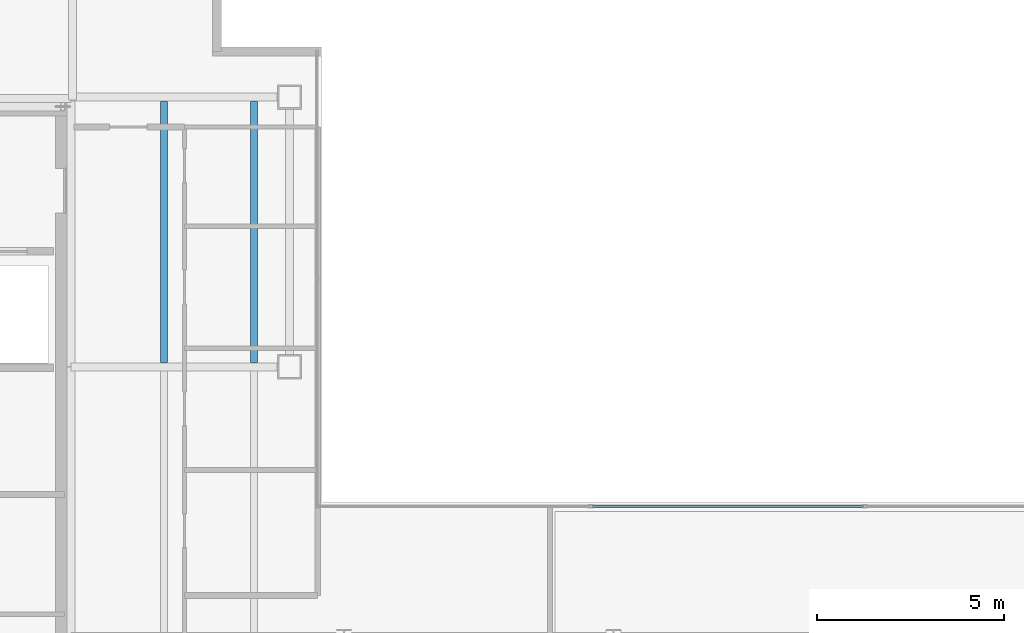
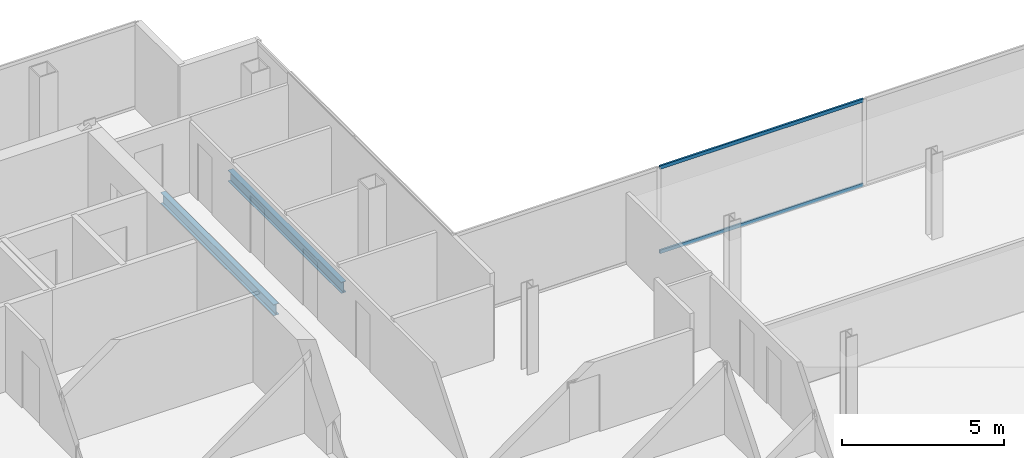
# One storey, part 10 of 23: 2 beams, 2 members, 1 element without a shape of its own.
"""IFC4 building model written with IfcOpenShell, lengths in metres."""

from ifc_helpers import new_model, si_unit, direction, frame, origin, origin_2d, place, context, subcontext, project, spatial, hollow_rectangle, i_section, extrude, material, material_profile, profile_set, type_object, element, aggregate, save


model = new_model("IFC4")

# Units and contexts
model_context = context("Model", 3, precision=1e-05, world=origin(), true_north=direction((0.0, 1.0)))
body_context = subcontext(model_context, "Body", "Model", "MODEL_VIEW")
ifc_project = project(units=[si_unit("LENGTHUNIT", "METRE"), si_unit("AREAUNIT", "SQUARE_METRE"), si_unit("VOLUMEUNIT", "CUBIC_METRE"), si_unit("PLANEANGLEUNIT", "RADIAN"), si_unit("MASSUNIT", "GRAM", prefix="KILO")], contexts=[model_context])

# Site, building, storey
site_placement = place(None, origin())
site = spatial("IfcSite", under=ifc_project, at=site_placement, CompositionType="ELEMENT")
building_placement = place(site_placement, origin())
building = spatial("IfcBuilding", under=site, at=building_placement, Name="Cobrela Telecom Tower", CompositionType="ELEMENT")
storey_placement = place(building_placement, frame((0.0, 0.0, 279.64990234375)))
storey = spatial("IfcBuildingStorey", under=building, at=storey_placement, Name="L73", CompositionType="ELEMENT", Elevation=279.64990234375)

# Beams
ifc_material_1 = material(Name="Steel ASTM A992 Grade 50", Category="steel")
ifc_material_profile_1 = material_profile(ifc_material_1, i_section(OverallWidth=0.179931640625, OverallDepth=0.4169921875, WebThickness=0.010986328125, FlangeThickness=0.01806640625, FilletRadius=0.011962890625, at=origin_2d()), Name="W16X57")
ifc_profile_set_1 = profile_set([ifc_material_profile_1], Name="Steel ASTM A992 Grade 50")
beam_type = type_object("IfcBeamType", Name="BM-JOIST-04", PredefinedType="JOIST", material=ifc_profile_set_1)
for number, where, z_axis, x_axis, name in (
    (1, (16.800048828125, 28.91162109375, -0.468505859375), (0.0, 1.0, 0.0), (-1.0, 0.0, 0.0), "L73 Secondary Composite Floor Beam J03"),
    (2, (19.199951171875, 28.91162109375, -0.468505859375), (0.0, 1.0, 0.0), (-1.0, 0.0, 0.0), "L73 Secondary Composite Floor Beam J06"),
):
    element("IfcBeam", number, at=place(storey_placement, frame(where, z_axis=z_axis, x_axis=x_axis)), inside=storey, type_object=beam_type, Name=name, PredefinedType="JOIST", context=body_context, shape_type="SweptSolid", body=[
        extrude(i_section(OverallWidth=0.179931640625, OverallDepth=0.4169921875, WebThickness=0.010986328125, FlangeThickness=0.01806640625, FilletRadius=0.011962890625, at=origin_2d()), origin(), (0.0, 0.0, 1.0), 6.976806640625),
    ])

# Curtain wall, members
ifc_material_2 = material(Name="Anodized Bronze Aluminium 6063-T6", Category="aluminium")
curtain_wall_type = type_object("IfcCurtainWallType", Name="CW-SYS-OFF-HI", PredefinedType="USERDEFINED", material=ifc_material_2)
curtain_wall_placement = place(storey_placement, origin())
curtain_wall = element("IfcCurtainWall", 3, at=curtain_wall_placement, inside=storey, type_object=curtain_wall_type, Name="L73 Unitised Bronze Curtain Wall 09", ObjectType="UNITISED CURTAIN WALL", PredefinedType="USERDEFINED")
ifc_material_profile_2 = material_profile(ifc_material_2, hollow_rectangle(XDim=0.06494140625, YDim=0.1298828125, WallThickness=0.00390625, at=origin_2d()), Name="ALU 65x130x4")
ifc_profile_set_2 = profile_set([ifc_material_profile_2], Name="Anodized Bronze Aluminium 6063-T6")
member_type = type_object("IfcMemberType", Name="CW-SYS-OFF-HI-TRN", PredefinedType="USERDEFINED", material=ifc_profile_set_2)
member_1_placement = place(storey_placement, frame((28.22509765625, 25.080078125, 0.03271484375), z_axis=(1.0, 0.0, 0.0), x_axis=(0.0, 1.0, 0.0)))
member_1 = element("IfcMember", 4, at=member_1_placement, type_object=member_type, Name="CW-OFF-HI transom 2.1", ObjectType="TRANSOM", PredefinedType="USERDEFINED", context=body_context, shape_type="SweptSolid", body=[
    extrude(hollow_rectangle(XDim=0.06494140625, YDim=0.1298828125, WallThickness=0.00390625, at=origin_2d()), origin(), (0.0, 0.0, 1.0), 7.239990234375),
])
member_2_placement = place(storey_placement, frame((28.22509765625, 25.080078125, 3.20751953125), z_axis=(1.0, 0.0, 0.0), x_axis=(0.0, 1.0, 0.0)))
member_2 = element("IfcMember", 5, at=member_2_placement, type_object=member_type, Name="CW-OFF-HI transom 2.2", ObjectType="TRANSOM", PredefinedType="USERDEFINED", context=body_context, shape_type="SweptSolid", body=[
    extrude(hollow_rectangle(XDim=0.06494140625, YDim=0.1298828125, WallThickness=0.00390625, at=origin_2d()), origin(), (0.0, 0.0, 1.0), 7.239990234375),
])
aggregate(curtain_wall, [member_1, member_2])

save(model, "model.ifc")
